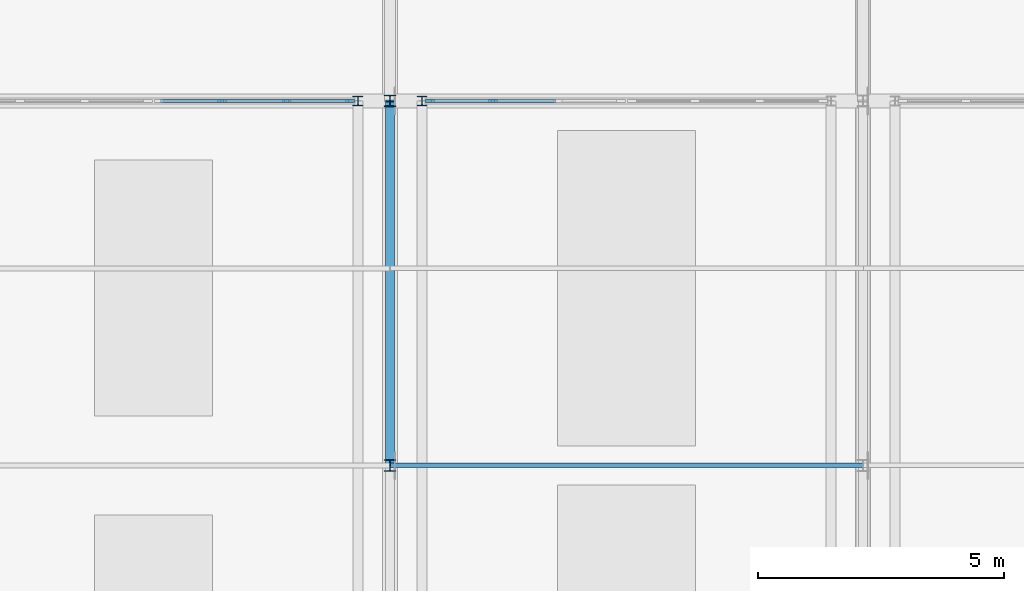
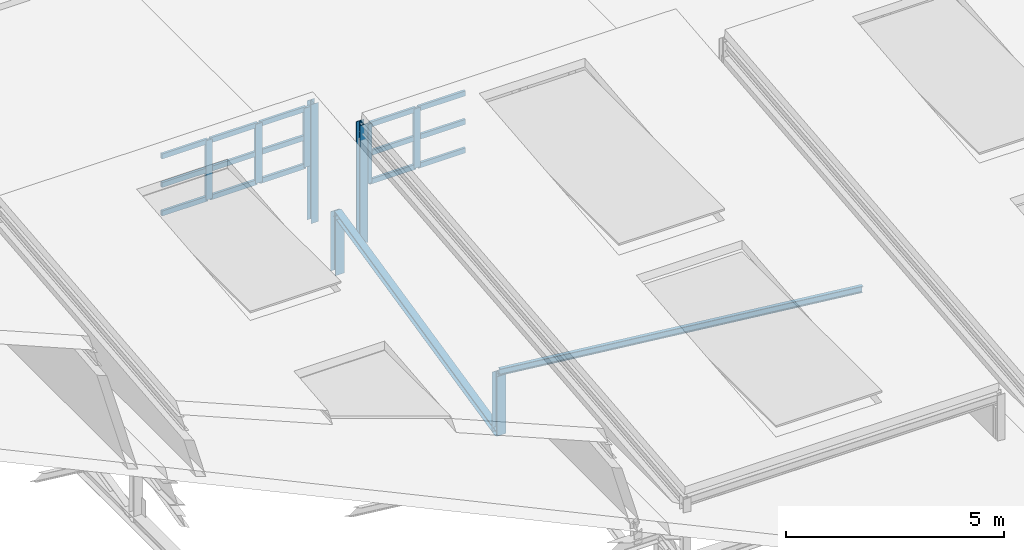
# One storey, part 14 of 30: 26 members, 2 elements without a shape of their own.
"""IFC4 building model written with IfcOpenShell, lengths in metres."""

from ifc_helpers import new_model, si_unit, direction, frame, origin, origin_2d, place, context, subcontext, project, spatial, rectangle, i_section, extrude, material, layer, layer_set, material_profile, profile_set, type_object, element, aggregate, save


model = new_model("IFC4")

# Units and contexts
model_context = context("Model", 3, precision=1e-05, world=origin(), true_north=direction((0.0, 1.0)))
body_context = subcontext(model_context, "Body", "Model", "MODEL_VIEW")
ifc_project = project(units=[si_unit("LENGTHUNIT", "METRE"), si_unit("AREAUNIT", "SQUARE_METRE"), si_unit("VOLUMEUNIT", "CUBIC_METRE"), si_unit("PLANEANGLEUNIT", "RADIAN"), si_unit("MASSUNIT", "GRAM", prefix="KILO")], contexts=[model_context])

# Site, building, storey
site_placement = place(None, origin())
site = spatial("IfcSite", under=ifc_project, at=site_placement, CompositionType="ELEMENT")
building_placement = place(site_placement, origin())
building = spatial("IfcBuilding", under=site, at=building_placement, Name="Alderhovde Museum", CompositionType="ELEMENT")
storey_placement = place(building_placement, frame((0.0, 0.0, 30.699951171875)))
storey = spatial("IfcBuildingStorey", under=building, at=storey_placement, Name="RF", CompositionType="ELEMENT", Elevation=30.699951171875)

# Curtain wall, members
ifc_material_1 = material(Name="Triple-Glazed Bronze-Anodised Curtain Wall", Category="glass")
ifc_layer = layer(ifc_material_1, 0.179931640625)
ifc_layer_set = layer_set([ifc_layer], Name="Triple-Glazed Bronze-Anodised Curtain Wall")
curtain_wall_type = type_object("IfcCurtainWallType", Name="CW-STIC-394x166", PredefinedType="USERDEFINED", material=ifc_layer_set)
curtain_wall_1_placement = place(storey_placement, origin())
curtain_wall_1 = element("IfcCurtainWall", 1, at=curtain_wall_1_placement, inside=storey, type_object=curtain_wall_type, Name="RF Stick Curtain Wall 170", ObjectType="STICK CURTAIN WALL", PredefinedType="USERDEFINED")
ifc_material_2 = material(Name="Bronze-Anodised Aluminium EN AW-6063-T6", Category="aluminium")
ifc_material_profile_1 = material_profile(ifc_material_2, rectangle(XDim=0.06494140625, YDim=0.179931640625, at=origin_2d()), Name="MULLION 65x180")
ifc_profile_set_1 = profile_set([ifc_material_profile_1], Name="Bronze-Anodised Aluminium EN AW-6063-T6")
member_type_1 = type_object("IfcMemberType", Name="CWM-65x180", PredefinedType="MULLION", material=ifc_profile_set_1)
member_1_placement = place(storey_placement, frame((34.993408203125, 71.39990234375, -2.26806640625), z_axis=(0.0, 0.0, 1.0), x_axis=(0.0, 1.0, 0.0)))
member_1 = element("IfcMember", 2, at=member_1_placement, type_object=member_type_1, Name="CW39 mullion 2", PredefinedType="MULLION", context=body_context, shape_type="SweptSolid", body=[
    extrude(rectangle(XDim=0.06494140625, YDim=0.179931640625, at=origin_2d()), origin(), (0.0, 0.0, 1.0), 1.66015625),
])
member_2_placement = place(storey_placement, frame((36.306640625, 71.39990234375, -2.26806640625), z_axis=(0.0, 0.0, 1.0), x_axis=(0.0, 1.0, 0.0)))
member_2 = element("IfcMember", 3, at=member_2_placement, type_object=member_type_1, Name="CW39 mullion 3", PredefinedType="MULLION", context=body_context, shape_type="SweptSolid", body=[
    extrude(rectangle(XDim=0.06494140625, YDim=0.179931640625, at=origin_2d()), origin(), (0.0, 0.0, 1.0), 1.66015625),
])
member_3_placement = place(storey_placement, frame((37.58740234375, 71.39990234375, -2.26806640625), z_axis=(0.0, 0.0, 1.0), x_axis=(0.0, 1.0, 0.0)))
member_3 = element("IfcMember", 4, at=member_3_placement, type_object=member_type_1, Name="CW39 mullion 4", PredefinedType="MULLION", context=body_context, shape_type="SweptSolid", body=[
    extrude(rectangle(XDim=0.06494140625, YDim=0.179931640625, at=origin_2d()), origin(), (0.0, 0.0, 1.0), 1.66015625),
])

curtain_wall_2_placement = place(storey_placement, origin())
curtain_wall_2 = element("IfcCurtainWall", 5, at=curtain_wall_2_placement, inside=storey, type_object=curtain_wall_type, Name="RF Stick Curtain Wall 171", ObjectType="STICK CURTAIN WALL", PredefinedType="USERDEFINED")
member_4_placement = place(storey_placement, frame((39.21240234375, 71.39990234375, -3.306884765625), z_axis=(0.0, 0.0, 1.0), x_axis=(0.0, 1.0, 0.0)))
member_4 = element("IfcMember", 6, at=member_4_placement, type_object=member_type_1, Name="CW39 mullion 1", PredefinedType="MULLION", context=body_context, shape_type="SweptSolid", body=[
    extrude(rectangle(XDim=0.06494140625, YDim=0.179931640625, at=origin_2d()), origin(), (0.0, 0.0, 1.0), 1.659912109375),
])
member_5_placement = place(storey_placement, frame((40.493408203125, 71.39990234375, -3.306884765625), z_axis=(0.0, 0.0, 1.0), x_axis=(0.0, 1.0, 0.0)))
member_5 = element("IfcMember", 7, at=member_5_placement, type_object=member_type_1, Name="CW39 mullion 2", PredefinedType="MULLION", context=body_context, shape_type="SweptSolid", body=[
    extrude(rectangle(XDim=0.06494140625, YDim=0.179931640625, at=origin_2d()), origin(), (0.0, 0.0, 1.0), 1.659912109375),
])

# Member
ifc_material_3 = material(Name="Bronze-Anodised Aluminium EN AW-6063-T6", Category="aluminium")
ifc_material_profile_2 = material_profile(ifc_material_3, rectangle(XDim=0.06494140625, YDim=0.139892578125, at=origin_2d()), Name="TRANSOM 65x140")
ifc_profile_set_2 = profile_set([ifc_material_profile_2], Name="Bronze-Anodised Aluminium EN AW-6063-T6")
member_type_2 = type_object("IfcMemberType", Name="CWT-65x140", PredefinedType="USERDEFINED", material=ifc_profile_set_2)
member_6_placement = place(storey_placement, frame((33.7451171875, 71.39990234375, -2.2353515625), z_axis=(1.0, 0.0, 0.0), x_axis=(0.0, 1.0, 0.0)))
member_6 = element("IfcMember", 8, at=member_6_placement, type_object=member_type_2, Name="CW39 transom 1.1", ObjectType="TRANSOM", PredefinedType="USERDEFINED", context=body_context, shape_type="SweptSolid", body=[
    extrude(rectangle(XDim=0.06494140625, YDim=0.139892578125, at=origin_2d()), origin(), (0.0, 0.0, 1.0), 1.2158203125),
])

member_7_placement = place(storey_placement, frame((33.7451171875, 71.39990234375, -1.43798828125), z_axis=(1.0, 0.0, 0.0), x_axis=(0.0, 1.0, 0.0)))
member_7 = element("IfcMember", 9, at=member_7_placement, type_object=member_type_2, Name="CW39 transom 1.2", ObjectType="TRANSOM", PredefinedType="USERDEFINED", context=body_context, shape_type="SweptSolid", body=[
    extrude(rectangle(XDim=0.06494140625, YDim=0.139892578125, at=origin_2d()), origin(), (0.0, 0.0, 1.0), 1.2158203125),
])

member_8_placement = place(storey_placement, frame((33.7451171875, 71.39990234375, -0.640380859375), z_axis=(1.0, 0.0, 0.0), x_axis=(0.0, 1.0, 0.0)))
member_8 = element("IfcMember", 10, at=member_8_placement, type_object=member_type_2, Name="CW39 transom 1.3", ObjectType="TRANSOM", PredefinedType="USERDEFINED", context=body_context, shape_type="SweptSolid", body=[
    extrude(rectangle(XDim=0.06494140625, YDim=0.139892578125, at=origin_2d()), origin(), (0.0, 0.0, 1.0), 1.2158203125),
])

member_9_placement = place(storey_placement, frame((35.02587890625, 71.39990234375, -2.2353515625), z_axis=(1.0, 0.0, 0.0), x_axis=(0.0, 1.0, 0.0)))
member_9 = element("IfcMember", 11, at=member_9_placement, type_object=member_type_2, Name="CW39 transom 2.1", ObjectType="TRANSOM", PredefinedType="USERDEFINED", context=body_context, shape_type="SweptSolid", body=[
    extrude(rectangle(XDim=0.06494140625, YDim=0.139892578125, at=origin_2d()), origin(), (0.0, 0.0, 1.0), 1.248291015625),
])

member_10_placement = place(storey_placement, frame((35.02587890625, 71.39990234375, -1.43798828125), z_axis=(1.0, 0.0, 0.0), x_axis=(0.0, 1.0, 0.0)))
member_10 = element("IfcMember", 12, at=member_10_placement, type_object=member_type_2, Name="CW39 transom 2.2", ObjectType="TRANSOM", PredefinedType="USERDEFINED", context=body_context, shape_type="SweptSolid", body=[
    extrude(rectangle(XDim=0.06494140625, YDim=0.139892578125, at=origin_2d()), origin(), (0.0, 0.0, 1.0), 1.248291015625),
])

member_11_placement = place(storey_placement, frame((35.02587890625, 71.39990234375, -0.640380859375), z_axis=(1.0, 0.0, 0.0), x_axis=(0.0, 1.0, 0.0)))
member_11 = element("IfcMember", 13, at=member_11_placement, type_object=member_type_2, Name="CW39 transom 2.3", ObjectType="TRANSOM", PredefinedType="USERDEFINED", context=body_context, shape_type="SweptSolid", body=[
    extrude(rectangle(XDim=0.06494140625, YDim=0.139892578125, at=origin_2d()), origin(), (0.0, 0.0, 1.0), 1.248291015625),
])

member_12_placement = place(storey_placement, frame((36.339111328125, 71.39990234375, -2.2353515625), z_axis=(1.0, 0.0, 0.0), x_axis=(0.0, 1.0, 0.0)))
member_12 = element("IfcMember", 14, at=member_12_placement, type_object=member_type_2, Name="CW39 transom 3.1", ObjectType="TRANSOM", PredefinedType="USERDEFINED", context=body_context, shape_type="SweptSolid", body=[
    extrude(rectangle(XDim=0.06494140625, YDim=0.139892578125, at=origin_2d()), origin(), (0.0, 0.0, 1.0), 1.2158203125),
])

member_13_placement = place(storey_placement, frame((36.339111328125, 71.39990234375, -1.43798828125), z_axis=(1.0, 0.0, 0.0), x_axis=(0.0, 1.0, 0.0)))
member_13 = element("IfcMember", 15, at=member_13_placement, type_object=member_type_2, Name="CW39 transom 3.2", ObjectType="TRANSOM", PredefinedType="USERDEFINED", context=body_context, shape_type="SweptSolid", body=[
    extrude(rectangle(XDim=0.06494140625, YDim=0.139892578125, at=origin_2d()), origin(), (0.0, 0.0, 1.0), 1.2158203125),
])

member_14_placement = place(storey_placement, frame((36.339111328125, 71.39990234375, -0.640380859375), z_axis=(1.0, 0.0, 0.0), x_axis=(0.0, 1.0, 0.0)))
member_14 = element("IfcMember", 16, at=member_14_placement, type_object=member_type_2, Name="CW39 transom 3.3", ObjectType="TRANSOM", PredefinedType="USERDEFINED", context=body_context, shape_type="SweptSolid", body=[
    extrude(rectangle(XDim=0.06494140625, YDim=0.139892578125, at=origin_2d()), origin(), (0.0, 0.0, 1.0), 1.2158203125),
])

aggregate(curtain_wall_1, [member_1, member_2, member_3, member_6, member_7, member_8, member_9, member_10, member_11, member_12, member_13, member_14])

member_15_placement = place(storey_placement, frame((39.2451171875, 71.39990234375, -3.2744140625), z_axis=(1.0, 0.0, 0.0), x_axis=(0.0, 1.0, 0.0)))
member_15 = element("IfcMember", 17, at=member_15_placement, type_object=member_type_2, Name="CW39 transom 1.1", ObjectType="TRANSOM", PredefinedType="USERDEFINED", context=body_context, shape_type="SweptSolid", body=[
    extrude(rectangle(XDim=0.06494140625, YDim=0.139892578125, at=origin_2d()), origin(), (0.0, 0.0, 1.0), 1.2158203125),
])

member_16_placement = place(storey_placement, frame((39.2451171875, 71.39990234375, -2.47705078125), z_axis=(1.0, 0.0, 0.0), x_axis=(0.0, 1.0, 0.0)))
member_16 = element("IfcMember", 18, at=member_16_placement, type_object=member_type_2, Name="CW39 transom 1.2", ObjectType="TRANSOM", PredefinedType="USERDEFINED", context=body_context, shape_type="SweptSolid", body=[
    extrude(rectangle(XDim=0.06494140625, YDim=0.139892578125, at=origin_2d()), origin(), (0.0, 0.0, 1.0), 1.2158203125),
])

member_17_placement = place(storey_placement, frame((39.2451171875, 71.39990234375, -1.679443359375), z_axis=(1.0, 0.0, 0.0), x_axis=(0.0, 1.0, 0.0)))
member_17 = element("IfcMember", 19, at=member_17_placement, type_object=member_type_2, Name="CW39 transom 1.3", ObjectType="TRANSOM", PredefinedType="USERDEFINED", context=body_context, shape_type="SweptSolid", body=[
    extrude(rectangle(XDim=0.06494140625, YDim=0.139892578125, at=origin_2d()), origin(), (0.0, 0.0, 1.0), 1.2158203125),
])

member_18_placement = place(storey_placement, frame((40.52587890625, 71.39990234375, -3.2744140625), z_axis=(1.0, 0.0, 0.0), x_axis=(0.0, 1.0, 0.0)))
member_18 = element("IfcMember", 20, at=member_18_placement, type_object=member_type_2, Name="CW39 transom 2.1", ObjectType="TRANSOM", PredefinedType="USERDEFINED", context=body_context, shape_type="SweptSolid", body=[
    extrude(rectangle(XDim=0.06494140625, YDim=0.139892578125, at=origin_2d()), origin(), (0.0, 0.0, 1.0), 1.248291015625),
])

member_19_placement = place(storey_placement, frame((40.52587890625, 71.39990234375, -2.47705078125), z_axis=(1.0, 0.0, 0.0), x_axis=(0.0, 1.0, 0.0)))
member_19 = element("IfcMember", 21, at=member_19_placement, type_object=member_type_2, Name="CW39 transom 2.2", ObjectType="TRANSOM", PredefinedType="USERDEFINED", context=body_context, shape_type="SweptSolid", body=[
    extrude(rectangle(XDim=0.06494140625, YDim=0.139892578125, at=origin_2d()), origin(), (0.0, 0.0, 1.0), 1.248291015625),
])

member_20_placement = place(storey_placement, frame((40.52587890625, 71.39990234375, -1.679443359375), z_axis=(1.0, 0.0, 0.0), x_axis=(0.0, 1.0, 0.0)))
member_20 = element("IfcMember", 22, at=member_20_placement, type_object=member_type_2, Name="CW39 transom 2.3", ObjectType="TRANSOM", PredefinedType="USERDEFINED", context=body_context, shape_type="SweptSolid", body=[
    extrude(rectangle(XDim=0.06494140625, YDim=0.139892578125, at=origin_2d()), origin(), (0.0, 0.0, 1.0), 1.248291015625),
])

aggregate(curtain_wall_2, [member_4, member_5, member_15, member_16, member_17, member_18, member_19, member_20])

# Members
ifc_material_4 = material(Name="Steel S355J2", Category="steel")
ifc_material_profile_3 = material_profile(ifc_material_4, i_section(OverallWidth=0.091064453125, OverallDepth=0.179931640625, WebThickness=0.00537109375, FlangeThickness=0.008056640625, FilletRadius=0.009033203125, at=origin_2d()), Name="IPE 180")
ifc_profile_set_3 = profile_set([ifc_material_profile_3], Name="Steel S355J2")
member_type_3 = type_object("IfcMemberType", Name="PRL-IPE180", PredefinedType="PURLIN", material=ifc_profile_set_3)
member_21_placement = place(storey_placement, frame((38.39990234375, 64.0, -3.806640625), z_axis=(0.994201715794, 0.0, -0.107531150432), x_axis=(0.0, 1.0, 0.0)))
element("IfcMember", 23, at=member_21_placement, inside=storey, type_object=member_type_3, Name="Folded Wing Roof Purlin Bay 4 Y=64", PredefinedType="PURLIN", context=body_context, shape_type="SweptSolid", body=[
    extrude(i_section(OverallWidth=0.091064453125, OverallDepth=0.179931640625, WebThickness=0.00537109375, FlangeThickness=0.008056640625, FilletRadius=0.009033203125, at=origin_2d()), origin(), (0.0, 0.0, 1.0), 9.656005859375),
])
ifc_material_5 = material(Name="Steel S355J2", Category="steel")
ifc_material_profile_4 = material_profile(ifc_material_5, i_section(OverallWidth=0.179931640625, OverallDepth=0.1708984375, WebThickness=0.006103515625, FlangeThickness=0.009521484375, FilletRadius=0.014892578125, at=origin_2d()), Name="HEA 180")
ifc_profile_set_4 = profile_set([ifc_material_profile_4], Name="Steel S355J2")
member_type_4 = type_object("IfcMemberType", Name="TR-DG-HEA180", PredefinedType="RAFTER", material=ifc_profile_set_4)
member_22_placement = place(storey_placement, frame((38.39990234375, 64.0, -5.510009765625), z_axis=(0.0, 0.975656265936, 0.219305382376), x_axis=(-1.0, 0.0, 0.0)))
element("IfcMember", 24, at=member_22_placement, inside=storey, type_object=member_type_4, Name="Sawtooth Roof Truss X=38.4 Web Diagonal 3", PredefinedType="RAFTER", context=body_context, shape_type="SweptSolid", body=[
    extrude(i_section(OverallWidth=0.179931640625, OverallDepth=0.1708984375, WebThickness=0.006103515625, FlangeThickness=0.009521484375, FilletRadius=0.014892578125, at=origin_2d()), origin(), (0.0, 0.0, 1.0), 7.58447265625),
])
ifc_material_6 = material(Name="Steel S355J2", Category="steel")
ifc_material_profile_5 = material_profile(ifc_material_6, i_section(OverallWidth=0.199951171875, OverallDepth=0.18994140625, WebThickness=0.006591796875, FlangeThickness=0.010009765625, FilletRadius=0.01806640625, at=origin_2d()), Name="HEA 200")
ifc_profile_set_5 = profile_set([ifc_material_profile_5], Name="Steel S355J2")
member_type_5 = type_object("IfcMemberType", Name="TR-PS-HEA200", PredefinedType="POST", material=ifc_profile_set_5)
for number, where, z_axis, x_axis, name in (
    (25, (37.75, 71.39990234375, -3.8466796875), (0.0, 0.0, 1.0), (1.0, 0.0, 0.0), "Sawtooth Monitor Post Bay 3-3"),
    (26, (39.050048828125, 71.39990234375, -4.885009765625), (0.0, 0.0, 1.0), (1.0, 0.0, 0.0), "Sawtooth Monitor Post Bay 4-4"),
):
    element("IfcMember", number, at=place(storey_placement, frame(where, z_axis=z_axis, x_axis=x_axis)), inside=storey, type_object=member_type_5, Name=name, PredefinedType="POST", context=body_context, shape_type="SweptSolid", body=[
        extrude(i_section(OverallWidth=0.199951171875, OverallDepth=0.18994140625, WebThickness=0.006591796875, FlangeThickness=0.010009765625, FilletRadius=0.01806640625, at=origin_2d()), origin(), (0.0, 0.0, 1.0), 3.328369140625),
    ])
ifc_material_7 = material(Name="Steel S355J2", Category="steel")
ifc_material_profile_6 = material_profile(ifc_material_7, i_section(OverallWidth=0.239990234375, OverallDepth=0.22998046875, WebThickness=0.007568359375, FlangeThickness=0.011962890625, FilletRadius=0.02099609375, at=origin_2d()), Name="HEA 240")
ifc_profile_set_6 = profile_set([ifc_material_profile_6], Name="Steel S355J2")
member_type_6 = type_object("IfcMemberType", Name="TR-PS-HEA240", PredefinedType="POST", material=ifc_profile_set_6)
for number, where, z_axis, x_axis, name in (
    (27, (38.39990234375, 64.0, -5.510009765625), (0.0, 0.0, 1.0), (1.0, 0.0, 0.0), "Sawtooth Roof Truss X=38.4 Web Post 2"),
    (28, (38.39990234375, 71.39990234375, -5.510009765625), (0.0, 0.0, 1.0), (1.0, 0.0, 0.0), "Sawtooth Roof Truss X=38.4 Web Post 3"),
):
    element("IfcMember", number, at=place(storey_placement, frame(where, z_axis=z_axis, x_axis=x_axis)), inside=storey, type_object=member_type_6, Name=name, PredefinedType="POST", context=body_context, shape_type="SweptSolid", body=[
        extrude(i_section(OverallWidth=0.239990234375, OverallDepth=0.22998046875, WebThickness=0.007568359375, FlangeThickness=0.011962890625, FilletRadius=0.02099609375, at=origin_2d()), origin(), (0.0, 0.0, 1.0), 1.663330078125),
    ])

save(model, "model.ifc")
